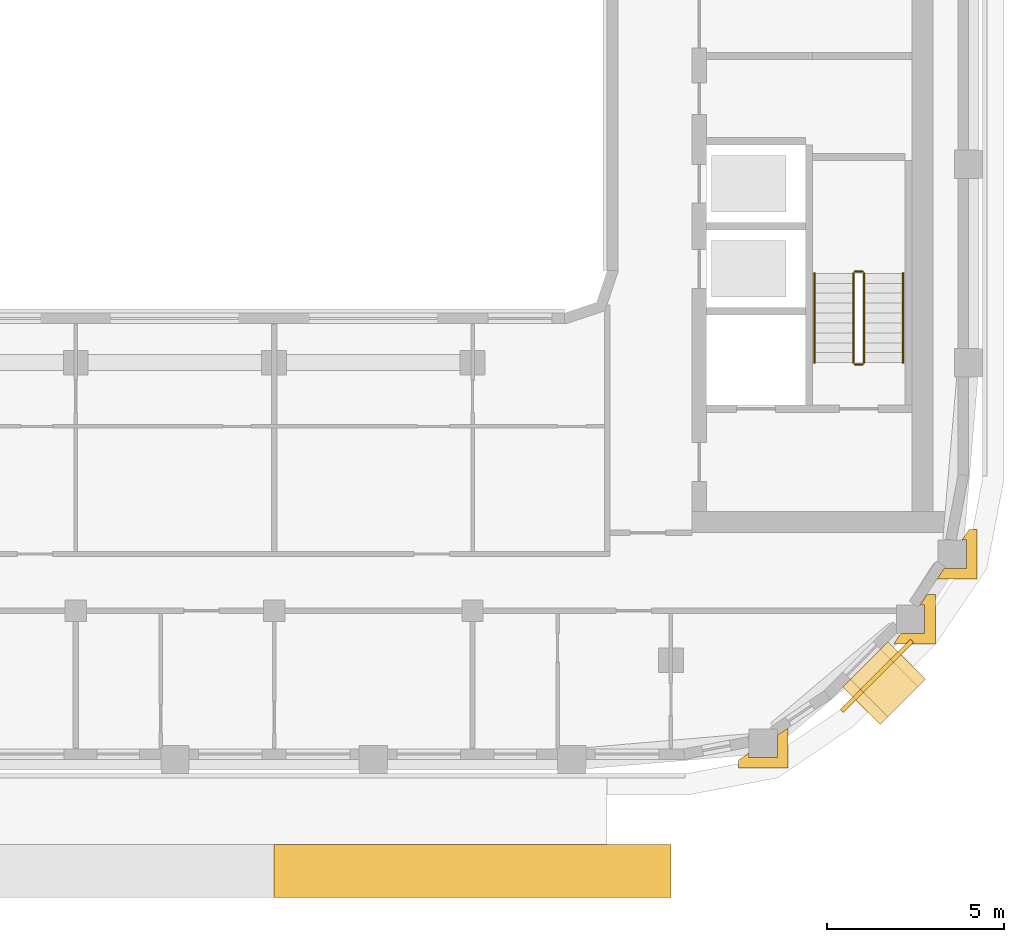
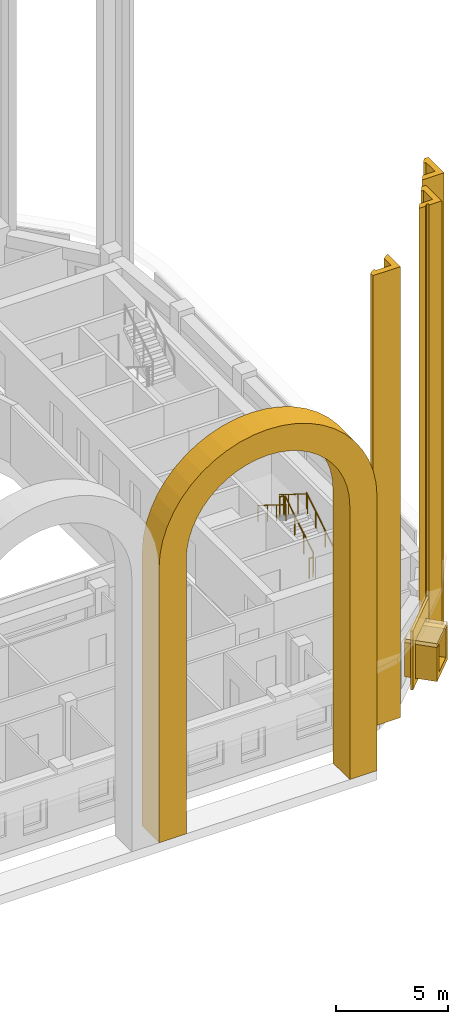
# One storey, part 15 of 19: 7 coverings, 6 railings.
"""IFC4 building model written with IfcOpenShell, lengths in metres."""

from ifc_helpers import new_model, si_unit, direction, frame, origin, origin_2d, place, context, subcontext, project, spatial, polyline, rectangle, circle, outline, extrude, material, layer, layer_set, type_object, element, save


model = new_model("IFC4")

# Units and contexts
model_context = context("Model", 3, precision=1e-05, world=origin(), true_north=direction((0.0, 1.0)))
body_context = subcontext(model_context, "Body", "Model", "MODEL_VIEW")
ifc_project = project(units=[si_unit("LENGTHUNIT", "METRE"), si_unit("AREAUNIT", "SQUARE_METRE"), si_unit("VOLUMEUNIT", "CUBIC_METRE"), si_unit("PLANEANGLEUNIT", "RADIAN"), si_unit("MASSUNIT", "GRAM", prefix="KILO")], contexts=[model_context])

# Site, building, storey
site_placement = place(None, origin())
site = spatial("IfcSite", under=ifc_project, at=site_placement, CompositionType="ELEMENT")
building_placement = place(site_placement, origin())
building = spatial("IfcBuilding", under=site, at=building_placement, Name="Kiln Ring Residences", CompositionType="ELEMENT")
storey_placement = place(building_placement, frame((0.0, 0.0, 241.699951171875)))
storey = spatial("IfcBuildingStorey", under=building, at=storey_placement, Name="L62", CompositionType="ELEMENT", Elevation=241.699951171875)

# Covering
ifc_material_1 = material(Name="Brick masonry, dark clay brick", Category="masonry")
ifc_layer_1 = layer(ifc_material_1, 1.39990234375)
ifc_layer_set_1 = layer_set([ifc_layer_1], Name="ARCH SURROUND 1500")
covering_type_1 = type_object("IfcCoveringType", Name="ARCH SURROUND 1500", PredefinedType="CLADDING", material=ifc_layer_set_1)
covering_1_placement = place(storey_placement, frame((16.800048828125, -22.75, 0.5), z_axis=(0.0, 0.0, 1.0), x_axis=(-1.0, 0.0, 0.0)))
element("IfcCovering", 1, at=covering_1_placement, inside=storey, type_object=covering_type_1, Name="ARCH SURROUND Z5 S1.3", PredefinedType="CLADDING", context=body_context, shape_type="SweptSolid", body=[
    extrude(outline(polyline([(11.199951171875, 0.0), (11.199951171875, 14.900146484375), (11.152099609375, 15.630859375), (11.00927734375, 16.349365234375), (10.773681640625, 17.04296875), (10.44970703125, 17.699951171875), (10.042724609375, 18.30908203125), (9.559814453125, 18.85986328125), (9.009033203125, 19.3427734375), (8.39990234375, 19.749755859375), (7.742919921875, 20.07373046875), (7.04931640625, 20.309326171875), (6.330810546875, 20.4521484375), (5.60009765625, 20.5), (4.869140625, 20.4521484375), (4.150634765625, 20.309326171875), (3.45703125, 20.07373046875), (2.800048828125, 19.749755859375), (2.19091796875, 19.3427734375), (1.64013671875, 18.85986328125), (1.1572265625, 18.30908203125), (0.750244140625, 17.699951171875), (0.42626953125, 17.04296875), (0.19091796875, 16.349365234375), (0.0478515625, 15.630859375), (0.0, 14.900146484375), (0.0, 0.0), (1.39990234375, 0.0), (1.39990234375, 14.900146484375), (1.435791015625, 15.4482421875), (1.543212890625, 15.987060546875), (1.7197265625, 16.50732421875), (1.962646484375, 17.0), (2.267822265625, 17.456787109375), (2.630126953125, 17.869873046875), (3.043212890625, 18.232177734375), (3.5, 18.537353515625), (3.99267578125, 18.7802734375), (4.512939453125, 18.95703125), (5.0517578125, 19.064208984375), (5.60009765625, 19.10009765625), (6.148193359375, 19.064208984375), (6.68701171875, 18.95703125), (7.207275390625, 18.7802734375), (7.699951171875, 18.537353515625), (8.15673828125, 18.232177734375), (8.56982421875, 17.869873046875), (8.93212890625, 17.456787109375), (9.2373046875, 17.0), (9.480224609375, 16.50732421875), (9.656982421875, 15.987060546875), (9.76416015625, 15.4482421875), (9.800048828125, 14.900146484375), (9.800048828125, 0.0), (11.199951171875, 0.0)])), frame((0.0, 0.75, 0.0), z_axis=(0.0, -1.0, 0.0), x_axis=(1.0, 0.0, 0.0)), (0.0, 0.0, 1.0), 1.5),
])

# Railings
ifc_material_2 = material(Name="Stainless steel", Category="steel")
railing_type_1 = type_object("IfcRailingType", Name="CORE-STAIR-GUARD", PredefinedType="GUARDRAIL", material=ifc_material_2)
railing_1_placement = place(storey_placement, frame((22.25, -8.39990234375, 0.175048828125)))
element("IfcRailing", 2, at=railing_1_placement, inside=storey, type_object=railing_type_1, Name="L62 E-STS stair guard 1", PredefinedType="GUARDRAIL", context=body_context, shape_type="SweptSolid", body=[
    extrude(circle(Radius=0.02392578125, at=origin_2d()), frame((0.0, 0.0, 1.076171875), z_axis=(0.0, 0.848007534815, 0.529984170421), x_axis=(-1.0, 0.0, 0.0)), (0.0, 0.0, 1.0), 2.9716796875),
    extrude(circle(Radius=0.02099609375, at=origin_2d()), origin(), (0.0, 0.0, 1.0), 1.052001953125),
    extrude(circle(Radius=0.02099609375, at=origin_2d()), frame((0.0, 0.840087890625, 0.52490234375)), (0.0, 0.0, 1.0), 1.052001953125),
    extrude(circle(Radius=0.02099609375, at=origin_2d()), frame((0.0, 1.679931640625, 1.050048828125)), (0.0, 0.0, 1.0), 1.052001953125),
    extrude(circle(Radius=0.02099609375, at=origin_2d()), frame((0.0, 2.52001953125, 1.574951171875)), (0.0, 0.0, 1.0), 1.052001953125),
])
railing_2_placement = place(storey_placement, frame((22.199951171875, -5.830078125, 1.75)))
element("IfcRailing", 3, at=railing_2_placement, inside=storey, type_object=railing_type_1, Name="L62 E-STS stair guard 2", PredefinedType="GUARDRAIL", context=body_context, shape_type="SweptSolid", body=[
    extrude(circle(Radius=0.02392578125, at=origin_2d()), frame((0.0, 0.0, 1.076171875), z_axis=(-1.0, 0.0, 0.0), x_axis=(0.0, -1.0, 0.0)), (0.0, 0.0, 1.0), 0.199951171875),
    extrude(circle(Radius=0.02099609375, at=origin_2d()), origin(), (0.0, 0.0, 1.0), 1.052001953125),
    extrude(circle(Radius=0.02099609375, at=origin_2d()), frame((-0.199951171875, 0.0, 0.0)), (0.0, 0.0, 1.0), 1.052001953125),
])
railing_3_placement = place(storey_placement, frame((21.949951171875, -5.8798828125, 1.925048828125)))
element("IfcRailing", 4, at=railing_3_placement, inside=storey, type_object=railing_type_1, Name="L62 E-STS stair guard 3", PredefinedType="GUARDRAIL", context=body_context, shape_type="SweptSolid", body=[
    extrude(circle(Radius=0.02392578125, at=origin_2d()), frame((0.0, 0.0, 1.076171875), z_axis=(0.0, -0.848007534815, 0.529984170421), x_axis=(1.0, 0.0, 0.0)), (0.0, 0.0, 1.0), 2.9716796875),
    extrude(circle(Radius=0.02099609375, at=origin_2d()), origin(), (0.0, 0.0, 1.0), 1.052001953125),
    extrude(circle(Radius=0.02099609375, at=origin_2d()), frame((0.0, -0.840087890625, 0.52490234375)), (0.0, 0.0, 1.0), 1.052001953125),
    extrude(circle(Radius=0.02099609375, at=origin_2d()), frame((0.0, -1.679931640625, 1.050048828125)), (0.0, 0.0, 1.0), 1.052001953125),
    extrude(circle(Radius=0.02099609375, at=origin_2d()), frame((0.0, -2.52001953125, 1.574951171875)), (0.0, 0.0, 1.0), 1.052001953125),
])
railing_4_placement = place(storey_placement, frame((22.199951171875, -8.449951171875, 0.0)))
element("IfcRailing", 5, at=railing_4_placement, inside=storey, type_object=railing_type_1, Name="L62 E-STS stair guard 4", PredefinedType="GUARDRAIL", context=body_context, shape_type="SweptSolid", body=[
    extrude(circle(Radius=0.02392578125, at=origin_2d()), frame((0.0, 0.0, 1.076171875), z_axis=(-1.0, 0.0, 0.0), x_axis=(0.0, -1.0, 0.0)), (0.0, 0.0, 1.0), 0.199951171875),
    extrude(circle(Radius=0.02099609375, at=origin_2d()), origin(), (0.0, 0.0, 1.0), 1.052001953125),
    extrude(circle(Radius=0.02099609375, at=origin_2d()), frame((-0.199951171875, 0.0, 0.0)), (0.0, 0.0, 1.0), 1.052001953125),
])
ifc_material_3 = material(Name="Stainless steel", Category="steel")
railing_type_2 = type_object("IfcRailingType", Name="CORE-STAIR-HANDRAIL", PredefinedType="HANDRAIL", material=ifc_material_3)
railing_5_placement = place(storey_placement, frame((23.35009765625, -8.39990234375, 0.175048828125)))
element("IfcRailing", 6, at=railing_5_placement, inside=storey, type_object=railing_type_2, Name="L62 E-STS stair handrail 1", PredefinedType="HANDRAIL", context=body_context, shape_type="SweptSolid", body=[
    extrude(circle(Radius=0.02392578125, at=origin_2d()), frame((0.0, 0.0, 0.8759765625), z_axis=(0.0, 0.848007534815, 0.529984170421), x_axis=(-1.0, 0.0, 0.0)), (0.0, 0.0, 1.0), 2.9716796875),
    extrude(circle(Radius=0.02099609375, at=origin_2d()), origin(), (0.0, 0.0, 1.0), 0.851806640625),
    extrude(circle(Radius=0.02099609375, at=origin_2d()), frame((0.0, 0.840087890625, 0.52490234375)), (0.0, 0.0, 1.0), 0.851806640625),
    extrude(circle(Radius=0.02099609375, at=origin_2d()), frame((0.0, 1.679931640625, 1.050048828125)), (0.0, 0.0, 1.0), 0.851806640625),
    extrude(circle(Radius=0.02099609375, at=origin_2d()), frame((0.0, 2.52001953125, 1.574951171875)), (0.0, 0.0, 1.0), 0.851806640625),
])
railing_6_placement = place(storey_placement, frame((20.85009765625, -5.8798828125, 1.925048828125)))
element("IfcRailing", 7, at=railing_6_placement, inside=storey, type_object=railing_type_2, Name="L62 E-STS stair handrail 2", PredefinedType="HANDRAIL", context=body_context, shape_type="SweptSolid", body=[
    extrude(circle(Radius=0.02392578125, at=origin_2d()), frame((0.0, 0.0, 0.8759765625), z_axis=(0.0, -0.848007534815, 0.529984170421), x_axis=(1.0, 0.0, 0.0)), (0.0, 0.0, 1.0), 2.9716796875),
    extrude(circle(Radius=0.02099609375, at=origin_2d()), origin(), (0.0, 0.0, 1.0), 0.851806640625),
    extrude(circle(Radius=0.02099609375, at=origin_2d()), frame((0.0, -0.840087890625, 0.52490234375)), (0.0, 0.0, 1.0), 0.851806640625),
    extrude(circle(Radius=0.02099609375, at=origin_2d()), frame((0.0, -1.679931640625, 1.050048828125)), (0.0, 0.0, 1.0), 0.851806640625),
    extrude(circle(Radius=0.02099609375, at=origin_2d()), frame((0.0, -2.52001953125, 1.574951171875)), (0.0, 0.0, 1.0), 0.851806640625),
])

# Coverings
ifc_material_4 = material(Name="Brick masonry, dark clay brick", Category="masonry")
ifc_layer_2 = layer(ifc_material_4, 0.300048828125)
ifc_layer_set_2 = layer_set([ifc_layer_2], Name="FRAME CHEEKS AND SILL 1500")
covering_type_2 = type_object("IfcCoveringType", Name="FRAME CHEEKS AND SILL 1500", PredefinedType="CLADDING", material=ifc_layer_set_2)
covering_2_placement = place(storey_placement, frame((22.180908203125, -18.079833984375, 0.300048828125), z_axis=(0.0, 0.0, 1.0), x_axis=(0.707038962956, 0.707174592913, 0.0)))
element("IfcCovering", 8, at=covering_2_placement, inside=storey, type_object=covering_type_2, Name="FRAME L62", PredefinedType="CLADDING", context=body_context, shape_type="SweptSolid", body=[
    extrude(outline(polyline([(0.0, 0.0), (1.800048828125, 0.0), (1.800048828125, 1.85009765625), (1.5009765625, 1.85009765625), (1.5, 0.300048828125), (0.300048828125, 0.300048828125), (0.299072265625, 1.85009765625), (0.0, 1.85009765625), (0.0, 0.0)])), frame((0.0, 0.75, 0.0), z_axis=(0.0, -1.0, 0.0), x_axis=(1.0, 0.0, 0.0)), (0.0, 0.0, 1.0), 1.5),
])
ifc_material_5 = material(Name="Brick masonry, dark clay brick", Category="masonry")
ifc_layer_3 = layer(ifc_material_5, 0.199951171875)
ifc_layer_set_3 = layer_set([ifc_layer_3], Name="FRAME HEAD 1500")
covering_type_3 = type_object("IfcCoveringType", Name="FRAME HEAD 1500", PredefinedType="CLADDING", material=ifc_layer_set_3)
covering_3_placement = place(storey_placement, frame((22.8173828125, -17.443359375, 2.14990234375), z_axis=(0.0, 0.0, 1.0), x_axis=(0.707106781187, 0.707106781187, 0.0)))
element("IfcCovering", 9, at=covering_3_placement, inside=storey, type_object=covering_type_3, Name="FRAME HEAD L62", PredefinedType="CLADDING", context=body_context, shape_type="SweptSolid", body=[
    extrude(rectangle(XDim=1.800048828125, YDim=1.5, at=origin_2d()), origin(), (0.0, 0.0, 1.0), 0.199951171875),
])
ifc_material_6 = material(Name="Brick masonry, dark clay brick", Category="masonry")
ifc_layer_4 = layer(ifc_material_6, 0.300048828125)
ifc_layer_set_4 = layer_set([ifc_layer_4], Name="PIER CLADDING 300")
covering_type_4 = type_object("IfcCoveringType", Name="PIER CLADDING 300", PredefinedType="CLADDING", material=ifc_layer_set_4)
placement = place(storey_placement, origin())
element("IfcCovering", 10, at=placement, inside=storey, type_object=covering_type_4, Name="PIER CLADDING L62-L68", PredefinedType="CLADDING", context=body_context, shape_type="SweptSolid", body=[
    extrude(outline(polyline([(19.0087890625, -19.409912109375), (18.708740234375, -19.61376953125), (18.708740234375, -19.838134765625), (20.108642578125, -19.838134765625), (20.108642578125, -18.71044921875), (19.80859375, -18.914306640625), (19.80859375, -19.5380859375), (19.0087890625, -19.5380859375), (19.0087890625, -19.409912109375)])), origin(), (0.0, 0.0, 1.0), 24.5),
])
element("IfcCovering", 11, at=placement, inside=storey, type_object=covering_type_4, Name="PIER CLADDING L62-L68", PredefinedType="CLADDING", context=body_context, shape_type="SweptSolid", body=[
    extrude(outline(polyline([(24.259765625, -16.340087890625), (24.259765625, -14.940185546875), (24.035400390625, -14.940185546875), (23.83154296875, -15.240234375), (23.959716796875, -15.240234375), (23.959716796875, -16.040283203125), (23.2880859375, -16.040283203125), (23.083984375, -16.340087890625), (23.425537109375, -16.340087890625), (23.559814453125, -16.2060546875), (23.64453125, -16.290771484375), (23.594970703125, -16.340087890625), (24.259765625, -16.340087890625)])), origin(), (0.0, 0.0, 1.0), 24.5),
])
element("IfcCovering", 12, at=placement, inside=storey, type_object=covering_type_4, Name="PIER CLADDING L62-L68", PredefinedType="CLADDING", context=body_context, shape_type="SweptSolid", body=[
    extrude(outline(polyline([(25.43798828125, -14.5087890625), (25.43798828125, -13.108642578125), (25.2138671875, -13.108642578125), (25.010009765625, -13.40869140625), (25.13818359375, -13.40869140625), (25.13818359375, -14.208740234375), (24.514404296875, -14.208740234375), (24.310546875, -14.5087890625), (25.43798828125, -14.5087890625)])), origin(), (0.0, 0.0, 1.0), 24.5),
])
ifc_material_7 = material(Name="Brick masonry, dark clay brick", Category="masonry")
ifc_layer_5 = layer(ifc_material_7, 0.1201171875)
ifc_layer_set_5 = layer_set([ifc_layer_5], Name="RAINSCREEN PANEL 120")
covering_type_5 = type_object("IfcCoveringType", Name="RAINSCREEN PANEL 120", PredefinedType="CLADDING", material=ifc_layer_set_5)
covering_7_placement = place(storey_placement, frame((21.622314453125, -18.228271484375, 0.0), z_axis=(0.0, 0.0, 1.0), x_axis=(0.707106781187, 0.707106781187, 0.0)))
element("IfcCovering", 13, at=covering_7_placement, inside=storey, type_object=covering_type_5, Name="RAINSCREEN L62", PredefinedType="CLADDING", context=body_context, shape_type="SweptSolid", body=[
    extrude(outline(polyline([(0.0, 0.0), (2.800048828125, 0.0), (2.800048828125, 3.199951171875), (0.0, 3.199951171875), (0.0, 0.0)]), holes=[polyline([(0.47998046875, 2.3701171875), (0.47998046875, 0.280029296875), (2.320068359375, 0.280029296875), (2.320068359375, 2.3701171875), (0.47998046875, 2.3701171875)])]), frame((0.0, 0.06005859375, 0.0), z_axis=(0.0, -1.0, 0.0), x_axis=(1.0, 0.0, 0.0)), (0.0, 0.0, 1.0), 0.1201171875),
])

save(model, "model.ifc")
